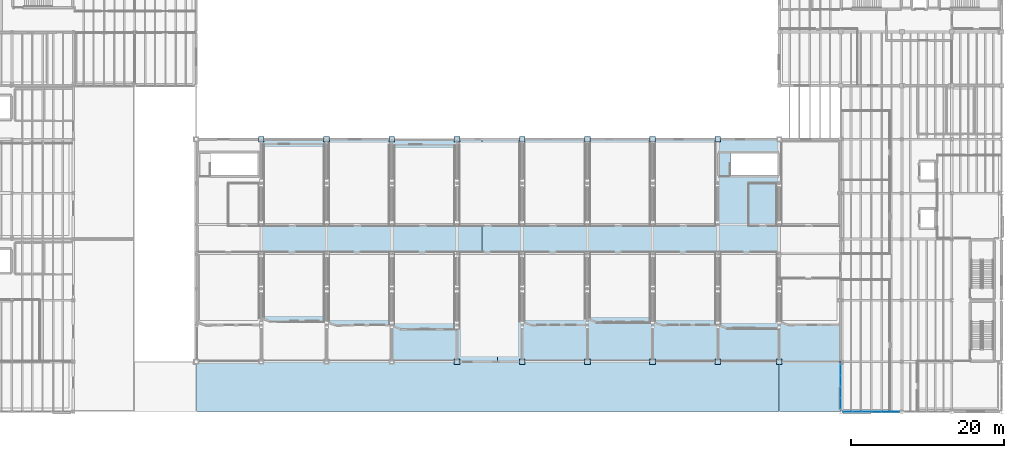
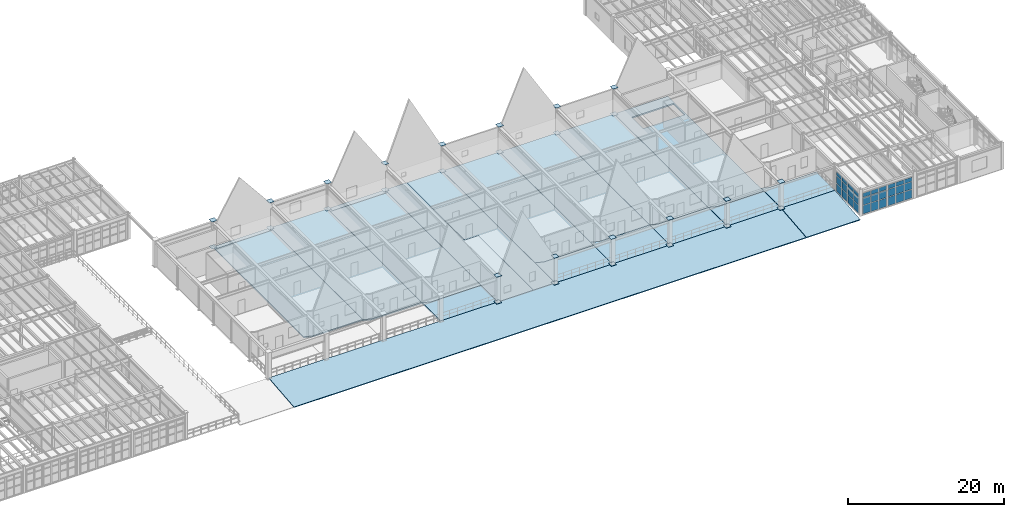
# One storey, part 51 of 78: 58 plates, 19 slabs, 5 elements without a shape of their own.
"""IFC4 building model written with IfcOpenShell, lengths in metres."""

from ifc_helpers import new_model, si_unit, direction, frame, origin, origin_2d, place, context, subcontext, project, spatial, polyline, rectangle, outline, extrude, material, layer, layer_set, material_profile, profile_set, type_object, element, aggregate, save


model = new_model("IFC4")

# Units and contexts
model_context = context("Model", 3, precision=1e-05, world=origin(), true_north=direction((0.0, 1.0)))
body_context = subcontext(model_context, "Body", "Model", "MODEL_VIEW")
ifc_project = project(units=[si_unit("LENGTHUNIT", "METRE"), si_unit("AREAUNIT", "SQUARE_METRE"), si_unit("VOLUMEUNIT", "CUBIC_METRE"), si_unit("PLANEANGLEUNIT", "RADIAN"), si_unit("MASSUNIT", "GRAM", prefix="KILO"), si_unit("THERMODYNAMICTEMPERATUREUNIT", "KELVIN"), si_unit("POWERUNIT", "WATT")], contexts=[model_context])

# Site, building, storey
site_placement = place(None, origin())
site = spatial("IfcSite", under=ifc_project, at=site_placement, CompositionType="ELEMENT")
building_placement = place(site_placement, origin())
building = spatial("IfcBuilding", under=site, at=building_placement, Name="Zhenchuan Central Fire Station", CompositionType="ELEMENT")
storey_placement = place(building_placement, frame((0.0, 0.0, 5.85009765625)))
storey = spatial("IfcBuildingStorey", under=building, at=storey_placement, Name="L02", CompositionType="ELEMENT", Elevation=5.85009765625)

# Curtain wall, plates
ifc_material_1 = material(Name="Anodised aluminium and low-E glazing", Category="aluminium")
curtain_wall_type_1 = type_object("IfcCurtainWallType", Name="CW-MOD-03", PredefinedType="USERDEFINED", material=ifc_material_1)
curtain_wall_1_placement = place(storey_placement, origin())
curtain_wall_1 = element("IfcCurtainWall", 1, at=curtain_wall_1_placement, inside=storey, type_object=curtain_wall_type_1, Name="L02 Unitised Curtain Wall 084", ObjectType="UNITISED GLAZING", PredefinedType="USERDEFINED")
ifc_material_2 = material(Name="Laminated low-E double glazing", Category="glass")
ifc_layer_1 = layer(ifc_material_2, 0.011962890625, Name="Laminated low-E double glazing", Category="glass")
ifc_layer_set_1 = layer_set([ifc_layer_1], Name="Laminated low-E double glazing")
plate_type_1 = type_object("IfcPlateType", Name="CW-PNL12", PredefinedType="CURTAIN_PANEL", material=ifc_layer_set_1)
plate_1_placement = place(storey_placement, frame((140.926513671875, 0.0, 0.06103515625), z_axis=(0.0, 0.0, 1.0), x_axis=(1.0, 0.0, 0.0)))
plate_1 = element("IfcPlate", 2, at=plate_1_placement, type_object=plate_type_1, Name="CW-03 panel 1.1", PredefinedType="CURTAIN_PANEL", context=body_context, shape_type="SweptSolid", body=[
    extrude(rectangle(XDim=1.123046875, YDim=0.011962890625, at=origin_2d()), origin(), (0.0, 0.0, 1.0), 1.33447265625),
])
plate_2_placement = place(storey_placement, frame((140.926513671875, 0.0, 1.46044921875), z_axis=(0.0, 0.0, 1.0), x_axis=(1.0, 0.0, 0.0)))
plate_2 = element("IfcPlate", 3, at=plate_2_placement, type_object=plate_type_1, Name="CW-03 panel 1.2", PredefinedType="CURTAIN_PANEL", context=body_context, shape_type="SweptSolid", body=[
    extrude(rectangle(XDim=1.123046875, YDim=0.011962890625, at=origin_2d()), origin(), (0.0, 0.0, 1.0), 1.158935546875),
])
plate_3_placement = place(storey_placement, frame((140.926513671875, 0.0, 2.6845703125), z_axis=(0.0, 0.0, 1.0), x_axis=(1.0, 0.0, 0.0)))
plate_3 = element("IfcPlate", 4, at=plate_3_placement, type_object=plate_type_1, Name="CW-03 panel 1.3", PredefinedType="CURTAIN_PANEL", context=body_context, shape_type="SweptSolid", body=[
    extrude(rectangle(XDim=1.123046875, YDim=0.011962890625, at=origin_2d()), origin(), (0.0, 0.0, 1.0), 0.650390625),
])
plate_4_placement = place(storey_placement, frame((142.131103515625, 0.0, 0.06103515625), z_axis=(0.0, 0.0, 1.0), x_axis=(1.0, 0.0, 0.0)))
plate_4 = element("IfcPlate", 5, at=plate_4_placement, type_object=plate_type_1, Name="CW-03 panel 2.1", PredefinedType="CURTAIN_PANEL", context=body_context, shape_type="SweptSolid", body=[
    extrude(rectangle(XDim=1.15576171875, YDim=0.011962890625, at=origin_2d()), origin(), (0.0, 0.0, 1.0), 1.33447265625),
])
plate_5_placement = place(storey_placement, frame((142.131103515625, 0.0, 1.46044921875), z_axis=(0.0, 0.0, 1.0), x_axis=(1.0, 0.0, 0.0)))
plate_5 = element("IfcPlate", 6, at=plate_5_placement, type_object=plate_type_1, Name="CW-03 panel 2.2", PredefinedType="CURTAIN_PANEL", context=body_context, shape_type="SweptSolid", body=[
    extrude(rectangle(XDim=1.15576171875, YDim=0.011962890625, at=origin_2d()), origin(), (0.0, 0.0, 1.0), 1.158935546875),
])
plate_6_placement = place(storey_placement, frame((142.131103515625, 0.0, 2.6845703125), z_axis=(0.0, 0.0, 1.0), x_axis=(1.0, 0.0, 0.0)))
plate_6 = element("IfcPlate", 7, at=plate_6_placement, type_object=plate_type_1, Name="CW-03 panel 2.3", PredefinedType="CURTAIN_PANEL", context=body_context, shape_type="SweptSolid", body=[
    extrude(rectangle(XDim=1.15576171875, YDim=0.011962890625, at=origin_2d()), origin(), (0.0, 0.0, 1.0), 0.650390625),
])
plate_7_placement = place(storey_placement, frame((143.33544921875, 0.0, 0.06103515625), z_axis=(0.0, 0.0, 1.0), x_axis=(1.0, 0.0, 0.0)))
plate_7 = element("IfcPlate", 8, at=plate_7_placement, type_object=plate_type_1, Name="CW-03 panel 3.1", PredefinedType="CURTAIN_PANEL", context=body_context, shape_type="SweptSolid", body=[
    extrude(rectangle(XDim=1.123046875, YDim=0.011962890625, at=origin_2d()), origin(), (0.0, 0.0, 1.0), 1.33447265625),
])
plate_8_placement = place(storey_placement, frame((143.33544921875, 0.0, 1.46044921875), z_axis=(0.0, 0.0, 1.0), x_axis=(1.0, 0.0, 0.0)))
plate_8 = element("IfcPlate", 9, at=plate_8_placement, type_object=plate_type_1, Name="CW-03 panel 3.2", PredefinedType="CURTAIN_PANEL", context=body_context, shape_type="SweptSolid", body=[
    extrude(rectangle(XDim=1.123046875, YDim=0.011962890625, at=origin_2d()), origin(), (0.0, 0.0, 1.0), 1.158935546875),
])
plate_9_placement = place(storey_placement, frame((143.33544921875, 0.0, 2.6845703125), z_axis=(0.0, 0.0, 1.0), x_axis=(1.0, 0.0, 0.0)))
plate_9 = element("IfcPlate", 10, at=plate_9_placement, type_object=plate_type_1, Name="CW-03 panel 3.3", PredefinedType="CURTAIN_PANEL", context=body_context, shape_type="SweptSolid", body=[
    extrude(rectangle(XDim=1.123046875, YDim=0.011962890625, at=origin_2d()), origin(), (0.0, 0.0, 1.0), 0.650390625),
])
aggregate(curtain_wall_1, [plate_1, plate_2, plate_3, plate_4, plate_5, plate_6, plate_7, plate_8, plate_9])

curtain_wall_type_2 = type_object("IfcCurtainWallType", Name="CW-MOD-04", PredefinedType="USERDEFINED", material=ifc_material_1)
curtain_wall_2_placement = place(storey_placement, origin())
curtain_wall_2 = element("IfcCurtainWall", 11, at=curtain_wall_2_placement, inside=storey, type_object=curtain_wall_type_2, Name="L02 Unitised Curtain Wall 085", ObjectType="UNITISED GLAZING", PredefinedType="USERDEFINED")
plate_10_placement = place(storey_placement, frame((144.66455078125, 0.0, 0.06103515625), z_axis=(0.0, 0.0, 1.0), x_axis=(1.0, 0.0, 0.0)))
plate_10 = element("IfcPlate", 12, at=plate_10_placement, type_object=plate_type_1, Name="CW-04 panel 1.1", PredefinedType="CURTAIN_PANEL", context=body_context, shape_type="SweptSolid", body=[
    extrude(rectangle(XDim=1.123046875, YDim=0.011962890625, at=origin_2d()), origin(), (0.0, 0.0, 1.0), 1.33447265625),
])
plate_11_placement = place(storey_placement, frame((144.66455078125, 0.0, 1.46044921875), z_axis=(0.0, 0.0, 1.0), x_axis=(1.0, 0.0, 0.0)))
plate_11 = element("IfcPlate", 13, at=plate_11_placement, type_object=plate_type_1, Name="CW-04 panel 1.2", PredefinedType="CURTAIN_PANEL", context=body_context, shape_type="SweptSolid", body=[
    extrude(rectangle(XDim=1.123046875, YDim=0.011962890625, at=origin_2d()), origin(), (0.0, 0.0, 1.0), 1.158935546875),
])
plate_12_placement = place(storey_placement, frame((144.66455078125, 0.0, 2.6845703125), z_axis=(0.0, 0.0, 1.0), x_axis=(1.0, 0.0, 0.0)))
plate_12 = element("IfcPlate", 14, at=plate_12_placement, type_object=plate_type_1, Name="CW-04 panel 1.3", PredefinedType="CURTAIN_PANEL", context=body_context, shape_type="SweptSolid", body=[
    extrude(rectangle(XDim=1.123046875, YDim=0.011962890625, at=origin_2d()), origin(), (0.0, 0.0, 1.0), 0.650390625),
])
plate_13_placement = place(storey_placement, frame((145.868896484375, 0.0, 0.06103515625), z_axis=(0.0, 0.0, 1.0), x_axis=(1.0, 0.0, 0.0)))
plate_13 = element("IfcPlate", 15, at=plate_13_placement, type_object=plate_type_1, Name="CW-04 panel 2.1", PredefinedType="CURTAIN_PANEL", context=body_context, shape_type="SweptSolid", body=[
    extrude(rectangle(XDim=1.15576171875, YDim=0.011962890625, at=origin_2d()), origin(), (0.0, 0.0, 1.0), 1.33447265625),
])
plate_14_placement = place(storey_placement, frame((145.868896484375, 0.0, 1.46044921875), z_axis=(0.0, 0.0, 1.0), x_axis=(1.0, 0.0, 0.0)))
plate_14 = element("IfcPlate", 16, at=plate_14_placement, type_object=plate_type_1, Name="CW-04 panel 2.2", PredefinedType="CURTAIN_PANEL", context=body_context, shape_type="SweptSolid", body=[
    extrude(rectangle(XDim=1.15576171875, YDim=0.011962890625, at=origin_2d()), origin(), (0.0, 0.0, 1.0), 1.158935546875),
])
plate_15_placement = place(storey_placement, frame((145.868896484375, 0.0, 2.6845703125), z_axis=(0.0, 0.0, 1.0), x_axis=(1.0, 0.0, 0.0)))
plate_15 = element("IfcPlate", 17, at=plate_15_placement, type_object=plate_type_1, Name="CW-04 panel 2.3", PredefinedType="CURTAIN_PANEL", context=body_context, shape_type="SweptSolid", body=[
    extrude(rectangle(XDim=1.15576171875, YDim=0.011962890625, at=origin_2d()), origin(), (0.0, 0.0, 1.0), 0.650390625),
])
plate_16_placement = place(storey_placement, frame((147.073486328125, 0.0, 0.06103515625), z_axis=(0.0, 0.0, 1.0), x_axis=(1.0, 0.0, 0.0)))
plate_16 = element("IfcPlate", 18, at=plate_16_placement, type_object=plate_type_1, Name="CW-04 panel 3.1", PredefinedType="CURTAIN_PANEL", context=body_context, shape_type="SweptSolid", body=[
    extrude(rectangle(XDim=1.123046875, YDim=0.011962890625, at=origin_2d()), origin(), (0.0, 0.0, 1.0), 1.33447265625),
])
plate_17_placement = place(storey_placement, frame((147.073486328125, 0.0, 1.46044921875), z_axis=(0.0, 0.0, 1.0), x_axis=(1.0, 0.0, 0.0)))
plate_17 = element("IfcPlate", 19, at=plate_17_placement, type_object=plate_type_1, Name="CW-04 panel 3.2", PredefinedType="CURTAIN_PANEL", context=body_context, shape_type="SweptSolid", body=[
    extrude(rectangle(XDim=1.123046875, YDim=0.011962890625, at=origin_2d()), origin(), (0.0, 0.0, 1.0), 1.158935546875),
])
plate_18_placement = place(storey_placement, frame((147.073486328125, 0.0, 2.6845703125), z_axis=(0.0, 0.0, 1.0), x_axis=(1.0, 0.0, 0.0)))
plate_18 = element("IfcPlate", 20, at=plate_18_placement, type_object=plate_type_1, Name="CW-04 panel 3.3", PredefinedType="CURTAIN_PANEL", context=body_context, shape_type="SweptSolid", body=[
    extrude(rectangle(XDim=1.123046875, YDim=0.011962890625, at=origin_2d()), origin(), (0.0, 0.0, 1.0), 0.650390625),
])
aggregate(curtain_wall_2, [plate_10, plate_11, plate_12, plate_13, plate_14, plate_15, plate_16, plate_17, plate_18])

curtain_wall_type_3 = type_object("IfcCurtainWallType", Name="CW-MOD-10", PredefinedType="USERDEFINED", material=ifc_material_1)
curtain_wall_3_placement = place(storey_placement, origin())
curtain_wall_3 = element("IfcCurtainWall", 21, at=curtain_wall_3_placement, inside=storey, type_object=curtain_wall_type_3, Name="L02 Unitised Curtain Wall 096", ObjectType="UNITISED GLAZING", PredefinedType="USERDEFINED")
plate_19_placement = place(storey_placement, frame((140.0, 1.044189453125, 0.06103515625), z_axis=(0.0, 0.0, 1.0), x_axis=(0.0, 1.0, 0.0)))
plate_19 = element("IfcPlate", 22, at=plate_19_placement, type_object=plate_type_1, Name="CW-10 panel 1.1", PredefinedType="CURTAIN_PANEL", context=body_context, shape_type="SweptSolid", body=[
    extrude(rectangle(XDim=1.3583984375, YDim=0.011962890625, at=origin_2d()), origin(), (0.0, 0.0, 1.0), 1.273193359375),
])
plate_20_placement = place(storey_placement, frame((140.0, 1.044189453125, 1.399169921875), z_axis=(0.0, 0.0, 1.0), x_axis=(0.0, 1.0, 0.0)))
plate_20 = element("IfcPlate", 23, at=plate_20_placement, type_object=plate_type_1, Name="CW-10 panel 1.2", PredefinedType="CURTAIN_PANEL", context=body_context, shape_type="SweptSolid", body=[
    extrude(rectangle(XDim=1.3583984375, YDim=0.011962890625, at=origin_2d()), origin(), (0.0, 0.0, 1.0), 1.1064453125),
])
plate_21_placement = place(storey_placement, frame((140.0, 1.044189453125, 2.5703125), z_axis=(0.0, 0.0, 1.0), x_axis=(0.0, 1.0, 0.0)))
plate_21 = element("IfcPlate", 24, at=plate_21_placement, type_object=plate_type_1, Name="CW-10 panel 1.3", PredefinedType="CURTAIN_PANEL", context=body_context, shape_type="SweptSolid", body=[
    extrude(rectangle(XDim=1.3583984375, YDim=0.011962890625, at=origin_2d()), origin(), (0.0, 0.0, 1.0), 0.618408203125),
])
plate_22_placement = place(storey_placement, frame((140.0, 2.4677734375, 0.06103515625), z_axis=(0.0, 0.0, 1.0), x_axis=(0.0, 1.0, 0.0)))
plate_22 = element("IfcPlate", 25, at=plate_22_placement, type_object=plate_type_1, Name="CW-10 panel 2.1", PredefinedType="CURTAIN_PANEL", context=body_context, shape_type="SweptSolid", body=[
    extrude(rectangle(XDim=1.3583984375, YDim=0.011962890625, at=origin_2d()), origin(), (0.0, 0.0, 1.0), 1.273193359375),
])
plate_23_placement = place(storey_placement, frame((140.0, 2.4677734375, 1.399169921875), z_axis=(0.0, 0.0, 1.0), x_axis=(0.0, 1.0, 0.0)))
plate_23 = element("IfcPlate", 26, at=plate_23_placement, type_object=plate_type_1, Name="CW-10 panel 2.2", PredefinedType="CURTAIN_PANEL", context=body_context, shape_type="SweptSolid", body=[
    extrude(rectangle(XDim=1.3583984375, YDim=0.011962890625, at=origin_2d()), origin(), (0.0, 0.0, 1.0), 1.1064453125),
])
plate_24_placement = place(storey_placement, frame((140.0, 2.4677734375, 2.5703125), z_axis=(0.0, 0.0, 1.0), x_axis=(0.0, 1.0, 0.0)))
plate_24 = element("IfcPlate", 27, at=plate_24_placement, type_object=plate_type_1, Name="CW-10 panel 2.3", PredefinedType="CURTAIN_PANEL", context=body_context, shape_type="SweptSolid", body=[
    extrude(rectangle(XDim=1.3583984375, YDim=0.011962890625, at=origin_2d()), origin(), (0.0, 0.0, 1.0), 0.618408203125),
])
aggregate(curtain_wall_3, [plate_19, plate_20, plate_21, plate_22, plate_23, plate_24])

curtain_wall_type_4 = type_object("IfcCurtainWallType", Name="CW-MOD-11", PredefinedType="USERDEFINED", material=ifc_material_1)
curtain_wall_4_placement = place(storey_placement, origin())
curtain_wall_4 = element("IfcCurtainWall", 28, at=curtain_wall_4_placement, inside=storey, type_object=curtain_wall_type_4, Name="L02 Unitised Curtain Wall 097", ObjectType="UNITISED GLAZING", PredefinedType="USERDEFINED")
plate_25_placement = place(storey_placement, frame((140.0, 4.0322265625, 0.06103515625), z_axis=(0.0, 0.0, 1.0), x_axis=(0.0, 1.0, 0.0)))
plate_25 = element("IfcPlate", 29, at=plate_25_placement, type_object=plate_type_1, Name="CW-11 panel 1.1", PredefinedType="CURTAIN_PANEL", context=body_context, shape_type="SweptSolid", body=[
    extrude(rectangle(XDim=1.3583984375, YDim=0.011962890625, at=origin_2d()), origin(), (0.0, 0.0, 1.0), 1.273193359375),
])
plate_26_placement = place(storey_placement, frame((140.0, 4.0322265625, 1.399169921875), z_axis=(0.0, 0.0, 1.0), x_axis=(0.0, 1.0, 0.0)))
plate_26 = element("IfcPlate", 30, at=plate_26_placement, type_object=plate_type_1, Name="CW-11 panel 1.2", PredefinedType="CURTAIN_PANEL", context=body_context, shape_type="SweptSolid", body=[
    extrude(rectangle(XDim=1.3583984375, YDim=0.011962890625, at=origin_2d()), origin(), (0.0, 0.0, 1.0), 1.1064453125),
])
plate_27_placement = place(storey_placement, frame((140.0, 4.0322265625, 2.5703125), z_axis=(0.0, 0.0, 1.0), x_axis=(0.0, 1.0, 0.0)))
plate_27 = element("IfcPlate", 31, at=plate_27_placement, type_object=plate_type_1, Name="CW-11 panel 1.3", PredefinedType="CURTAIN_PANEL", context=body_context, shape_type="SweptSolid", body=[
    extrude(rectangle(XDim=1.3583984375, YDim=0.011962890625, at=origin_2d()), origin(), (0.0, 0.0, 1.0), 0.618408203125),
])
plate_28_placement = place(storey_placement, frame((140.0, 5.455810546875, 0.06103515625), z_axis=(0.0, 0.0, 1.0), x_axis=(0.0, 1.0, 0.0)))
plate_28 = element("IfcPlate", 32, at=plate_28_placement, type_object=plate_type_1, Name="CW-11 panel 2.1", PredefinedType="CURTAIN_PANEL", context=body_context, shape_type="SweptSolid", body=[
    extrude(rectangle(XDim=1.3583984375, YDim=0.011962890625, at=origin_2d()), origin(), (0.0, 0.0, 1.0), 1.273193359375),
])
plate_29_placement = place(storey_placement, frame((140.0, 5.455810546875, 1.399169921875), z_axis=(0.0, 0.0, 1.0), x_axis=(0.0, 1.0, 0.0)))
plate_29 = element("IfcPlate", 33, at=plate_29_placement, type_object=plate_type_1, Name="CW-11 panel 2.2", PredefinedType="CURTAIN_PANEL", context=body_context, shape_type="SweptSolid", body=[
    extrude(rectangle(XDim=1.3583984375, YDim=0.011962890625, at=origin_2d()), origin(), (0.0, 0.0, 1.0), 1.1064453125),
])
plate_30_placement = place(storey_placement, frame((140.0, 5.455810546875, 2.5703125), z_axis=(0.0, 0.0, 1.0), x_axis=(0.0, 1.0, 0.0)))
plate_30 = element("IfcPlate", 34, at=plate_30_placement, type_object=plate_type_1, Name="CW-11 panel 2.3", PredefinedType="CURTAIN_PANEL", context=body_context, shape_type="SweptSolid", body=[
    extrude(rectangle(XDim=1.3583984375, YDim=0.011962890625, at=origin_2d()), origin(), (0.0, 0.0, 1.0), 0.618408203125),
])
aggregate(curtain_wall_4, [plate_25, plate_26, plate_27, plate_28, plate_29, plate_30])

# Plates
ifc_material_3 = material(Name="Steel Q355B", Category="steel")
ifc_material_profile = material_profile(ifc_material_3, rectangle(XDim=0.760009765625, YDim=0.760009765625, at=origin_2d()), Name="PL 760x760x40")
ifc_profile_set = profile_set([ifc_material_profile], Name="Steel Q355B")
plate_type_2 = type_object("IfcPlateType", Name="PL-BAS40-INT", PredefinedType="SHEET", material=ifc_profile_set)
for number, where, z_axis, x_axis, name in (
    (35, (64.5, 35.5, -0.01611328125), (0.0, 0.0, 1.0), (1.0, 0.0, 0.0), "L02 Column 064 end cap plate A"),
    (36, (64.5, 35.5, 4.19580078125), (0.0, 0.0, 1.0), (1.0, 0.0, 0.0), "L02 Column 064 end cap plate B"),
    (37, (73.0, 35.5, -0.01611328125), (0.0, 0.0, 1.0), (1.0, 0.0, 0.0), "L02 Column 066 end cap plate A"),
    (38, (73.0, 35.5, 4.19580078125), (0.0, 0.0, 1.0), (1.0, 0.0, 0.0), "L02 Column 066 end cap plate B"),
    (39, (81.5, 35.5, -0.01611328125), (0.0, 0.0, 1.0), (1.0, 0.0, 0.0), "L02 Column 068 end cap plate A"),
    (40, (81.5, 35.5, 4.19580078125), (0.0, 0.0, 1.0), (1.0, 0.0, 0.0), "L02 Column 068 end cap plate B"),
    (41, (90.0, 6.5, -0.01611328125), (0.0, 0.0, 1.0), (1.0, 0.0, 0.0), "L02 Column 069 end cap plate A"),
    (42, (90.0, 6.5, 4.19580078125), (0.0, 0.0, 1.0), (1.0, 0.0, 0.0), "L02 Column 069 end cap plate B"),
    (43, (90.0, 35.5, -0.01611328125), (0.0, 0.0, 1.0), (1.0, 0.0, 0.0), "L02 Column 070 end cap plate A"),
    (44, (90.0, 35.5, 4.19580078125), (0.0, 0.0, 1.0), (1.0, 0.0, 0.0), "L02 Column 070 end cap plate B"),
    (45, (98.5, 6.5, -0.01611328125), (0.0, 0.0, 1.0), (1.0, 0.0, 0.0), "L02 Column 071 end cap plate A"),
    (46, (98.5, 6.5, 4.19580078125), (0.0, 0.0, 1.0), (1.0, 0.0, 0.0), "L02 Column 071 end cap plate B"),
    (47, (98.5, 35.5, -0.01611328125), (0.0, 0.0, 1.0), (1.0, 0.0, 0.0), "L02 Column 072 end cap plate A"),
    (48, (98.5, 35.5, 4.19580078125), (0.0, 0.0, 1.0), (1.0, 0.0, 0.0), "L02 Column 072 end cap plate B"),
    (49, (107.0, 6.5, -0.01611328125), (0.0, 0.0, 1.0), (1.0, 0.0, 0.0), "L02 Column 073 end cap plate A"),
    (50, (107.0, 6.5, 4.19580078125), (0.0, 0.0, 1.0), (1.0, 0.0, 0.0), "L02 Column 073 end cap plate B"),
    (51, (107.0, 35.5, -0.01611328125), (0.0, 0.0, 1.0), (1.0, 0.0, 0.0), "L02 Column 074 end cap plate A"),
    (52, (107.0, 35.5, 4.19580078125), (0.0, 0.0, 1.0), (1.0, 0.0, 0.0), "L02 Column 074 end cap plate B"),
    (53, (115.5, 6.5, -0.01611328125), (0.0, 0.0, 1.0), (1.0, 0.0, 0.0), "L02 Column 075 end cap plate A"),
    (54, (115.5, 6.5, 4.19580078125), (0.0, 0.0, 1.0), (1.0, 0.0, 0.0), "L02 Column 075 end cap plate B"),
    (55, (115.5, 35.5, -0.01611328125), (0.0, 0.0, 1.0), (1.0, 0.0, 0.0), "L02 Column 076 end cap plate A"),
    (56, (115.5, 35.5, 4.19580078125), (0.0, 0.0, 1.0), (1.0, 0.0, 0.0), "L02 Column 076 end cap plate B"),
    (57, (124.0, 6.5, -0.01611328125), (0.0, 0.0, 1.0), (1.0, 0.0, 0.0), "L02 Column 077 end cap plate A"),
    (58, (124.0, 6.5, 4.19580078125), (0.0, 0.0, 1.0), (1.0, 0.0, 0.0), "L02 Column 077 end cap plate B"),
    (59, (124.0, 35.5, -0.01611328125), (0.0, 0.0, 1.0), (1.0, 0.0, 0.0), "L02 Column 078 end cap plate A"),
    (60, (124.0, 35.5, 4.19580078125), (0.0, 0.0, 1.0), (1.0, 0.0, 0.0), "L02 Column 078 end cap plate B"),
    (61, (132.0, 6.5, -0.01611328125), (0.0, 0.0, 1.0), (1.0, 0.0, 0.0), "L02 Column 079 end cap plate A"),
    (62, (132.0, 6.5, 4.19580078125), (0.0, 0.0, 1.0), (1.0, 0.0, 0.0), "L02 Column 079 end cap plate B"),
):
    element("IfcPlate", number, at=place(storey_placement, frame(where, z_axis=z_axis, x_axis=x_axis)), inside=storey, type_object=plate_type_2, Name=name, PredefinedType="SHEET", context=body_context, shape_type="SweptSolid", body=[
        extrude(rectangle(XDim=0.760009765625, YDim=0.760009765625, at=origin_2d()), origin(), (0.0, 0.0, 1.0), 0.02001953125),
    ])

# Slabs
ifc_material_4 = material(Name="Concrete C35/45", Category="concrete")
ifc_layer_2 = layer(ifc_material_4, 0.179931640625, Name="Concrete C35/45", Category="concrete")
ifc_layer_set_2 = layer_set([ifc_layer_2], Name="Concrete C35/45")
slab_type_1 = type_object("IfcSlabType", Name="SL-EXT180", PredefinedType="FLOOR", material=ifc_layer_set_2)
slab_1_placement = place(storey_placement, frame((0.0, 0.0, -0.18017578125)))
element("IfcSlab", 63, at=slab_1_placement, inside=storey, type_object=slab_type_1, Name="L02 Setback Terrace H04", PredefinedType="FLOOR", context=body_context, shape_type="SweptSolid", body=[
    extrude(outline(polyline([(81.5029296875, 6.5), (89.9970703125, 6.5), (89.9970703125, 10.7958984375), (82.60302734375, 10.7958984375), (81.5029296875, 11.196044921875), (81.5029296875, 6.5)])), origin(), (0.0, 0.0, 1.0), 0.18017578125),
])
slab_2_placement = place(storey_placement, frame((0.0, 0.0, -0.18017578125)))
element("IfcSlab", 64, at=slab_2_placement, inside=storey, type_object=slab_type_1, Name="L02 Setback Terrace H06", PredefinedType="FLOOR", context=body_context, shape_type="SweptSolid", body=[
    extrude(outline(polyline([(98.5029296875, 6.5), (106.9970703125, 6.5), (106.9970703125, 11.2958984375), (99.60302734375, 11.2958984375), (98.5029296875, 11.696044921875), (98.5029296875, 6.5)])), origin(), (0.0, 0.0, 1.0), 0.18017578125),
])
slab_3_placement = place(storey_placement, frame((0.0, 0.0, -0.18017578125)))
element("IfcSlab", 65, at=slab_3_placement, inside=storey, type_object=slab_type_1, Name="L02 Setback Terrace H07", PredefinedType="FLOOR", context=body_context, shape_type="SweptSolid", body=[
    extrude(outline(polyline([(107.0029296875, 6.5), (115.4970703125, 6.5), (115.4970703125, 11.696044921875), (108.10302734375, 11.696044921875), (107.0029296875, 12.095947265625), (107.0029296875, 6.5)])), origin(), (0.0, 0.0, 1.0), 0.18017578125),
])
slab_4_placement = place(storey_placement, frame((0.0, 0.0, -0.18017578125)))
element("IfcSlab", 66, at=slab_4_placement, inside=storey, type_object=slab_type_1, Name="L02 Setback Terrace H08", PredefinedType="FLOOR", context=body_context, shape_type="SweptSolid", body=[
    extrude(outline(polyline([(115.5029296875, 6.5), (123.9970703125, 6.5), (123.9970703125, 11.2958984375), (116.60302734375, 11.2958984375), (115.5029296875, 11.696044921875), (115.5029296875, 6.5)])), origin(), (0.0, 0.0, 1.0), 0.18017578125),
])
slab_5_placement = place(storey_placement, frame((0.0, 0.0, -0.18017578125)))
element("IfcSlab", 67, at=slab_5_placement, inside=storey, type_object=slab_type_1, Name="L02 Setback Terrace H09", PredefinedType="FLOOR", context=body_context, shape_type="SweptSolid", body=[
    extrude(outline(polyline([(124.0029296875, 6.5), (131.97509765625, 6.5), (131.97509765625, 10.89599609375), (125.10302734375, 10.89599609375), (124.0029296875, 11.2958984375), (124.0029296875, 6.5)])), origin(), (0.0, 0.0, 1.0), 0.18017578125),
])
slab_6_placement = place(storey_placement, frame((0.0, 0.0, -0.18017578125)))
element("IfcSlab", 68, at=slab_6_placement, inside=storey, type_object=slab_type_1, Name="L02 Setback Terrace H10", PredefinedType="FLOOR", context=body_context, shape_type="SweptSolid", body=[
    extrude(outline(polyline([(132.02490234375, 6.5), (139.99609375, 6.5), (139.99609375, 11.2958984375), (133.125, 11.2958984375), (132.02490234375, 11.696044921875), (132.02490234375, 6.5)])), origin(), (0.0, 0.0, 1.0), 0.18017578125),
])
ifc_layer_3 = layer(ifc_material_4, 0.199951171875, Name="Concrete C35/45", Category="concrete")
ifc_layer_set_3 = layer_set([ifc_layer_3], Name="Concrete C35/45")
slab_type_2 = type_object("IfcSlabType", Name="SL-FLR200", PredefinedType="FLOOR", material=ifc_layer_set_3)
slab_7_placement = place(storey_placement, frame((0.0, 0.0, -0.2001953125)))
element("IfcSlab", 69, at=slab_7_placement, inside=storey, type_object=slab_type_2, Name="L02 Pavilion H02 Floor Slab", PredefinedType="FLOOR", context=body_context, shape_type="SweptSolid", body=[
    extrude(outline(polyline([(64.5029296875, 12.199951171875), (65.60302734375, 11.800048828125), (72.9970703125, 11.800048828125), (72.9970703125, 34.89990234375), (64.5029296875, 34.89990234375), (64.5029296875, 12.199951171875)])), origin(), (0.0, 0.0, 1.0), 0.2001953125),
])
slab_8_placement = place(storey_placement, frame((0.0, 0.0, -0.2001953125)))
element("IfcSlab", 70, at=slab_8_placement, inside=storey, type_object=slab_type_2, Name="L02 Pavilion H03 Floor Slab", PredefinedType="FLOOR", context=body_context, shape_type="SweptSolid", body=[
    extrude(outline(polyline([(73.0029296875, 11.699951171875), (74.10302734375, 11.300048828125), (81.4970703125, 11.300048828125), (81.4970703125, 35.5), (73.0029296875, 35.5), (73.0029296875, 11.699951171875)])), origin(), (0.0, 0.0, 1.0), 0.2001953125),
])
slab_9_placement = place(storey_placement, frame((0.0, 0.0, -0.2001953125)))
element("IfcSlab", 71, at=slab_9_placement, inside=storey, type_object=slab_type_2, Name="L02 Pavilion H04 Floor Slab", PredefinedType="FLOOR", context=body_context, shape_type="SweptSolid", body=[
    extrude(outline(polyline([(81.5029296875, 11.199951171875), (82.60302734375, 10.800048828125), (89.9970703125, 10.800048828125), (89.9970703125, 34.800048828125), (81.5029296875, 34.800048828125), (81.5029296875, 11.199951171875)])), origin(), (0.0, 0.0, 1.0), 0.2001953125),
])
slab_10_placement = place(storey_placement, frame((0.0, 0.0, -0.2001953125)))
element("IfcSlab", 72, at=slab_10_placement, inside=storey, type_object=slab_type_2, Name="L02 Pavilion H05 Floor Panel A", PredefinedType="FLOOR", context=body_context, shape_type="SweptSolid", body=[
    extrude(outline(polyline([(90.0029296875, 6.5), (95.26611328125, 6.5), (95.26611328125, 20.596923828125), (93.22802734375, 20.596923828125), (93.22802734375, 35.5), (90.0029296875, 35.5), (90.0029296875, 6.5)])), origin(), (0.0, 0.0, 1.0), 0.2001953125),
])
slab_11_placement = place(storey_placement, frame((0.0, 0.0, -0.2001953125)))
element("IfcSlab", 73, at=slab_11_placement, inside=storey, type_object=slab_type_2, Name="L02 Pavilion H05 Floor Panel B", PredefinedType="FLOOR", context=body_context, shape_type="SweptSolid", body=[
    extrude(outline(polyline([(95.27197265625, 6.5), (98.4970703125, 6.5), (98.4970703125, 35.5), (93.23388671875, 35.5), (93.23388671875, 20.60302734375), (95.27197265625, 20.60302734375), (95.27197265625, 6.5)])), origin(), (0.0, 0.0, 1.0), 0.2001953125),
])
slab_12_placement = place(storey_placement, frame((0.0, 0.0, -0.2001953125)))
element("IfcSlab", 74, at=slab_12_placement, inside=storey, type_object=slab_type_2, Name="L02 Pavilion H06 Floor Slab", PredefinedType="FLOOR", context=body_context, shape_type="SweptSolid", body=[
    extrude(outline(polyline([(98.5029296875, 11.699951171875), (99.60302734375, 11.300048828125), (106.9970703125, 11.300048828125), (106.9970703125, 35.5), (98.5029296875, 35.5), (98.5029296875, 11.699951171875)])), origin(), (0.0, 0.0, 1.0), 0.2001953125),
])
slab_13_placement = place(storey_placement, frame((0.0, 0.0, -0.2001953125)))
element("IfcSlab", 75, at=slab_13_placement, inside=storey, type_object=slab_type_2, Name="L02 Pavilion H07 Floor Slab", PredefinedType="FLOOR", context=body_context, shape_type="SweptSolid", body=[
    extrude(outline(polyline([(107.0029296875, 12.10009765625), (108.10302734375, 11.699951171875), (115.4970703125, 11.699951171875), (115.4970703125, 35.5), (107.0029296875, 35.5), (107.0029296875, 12.10009765625)])), origin(), (0.0, 0.0, 1.0), 0.2001953125),
])
slab_14_placement = place(storey_placement, frame((0.0, 0.0, -0.2001953125)))
element("IfcSlab", 76, at=slab_14_placement, inside=storey, type_object=slab_type_2, Name="L02 Pavilion H08 Floor Slab", PredefinedType="FLOOR", context=body_context, shape_type="SweptSolid", body=[
    extrude(outline(polyline([(115.5029296875, 11.699951171875), (116.60302734375, 11.300048828125), (123.9970703125, 11.300048828125), (123.9970703125, 35.5), (115.5029296875, 35.5), (115.5029296875, 11.699951171875)])), origin(), (0.0, 0.0, 1.0), 0.2001953125),
])
slab_15_placement = place(storey_placement, frame((0.0, 0.0, -0.2001953125)))
element("IfcSlab", 77, at=slab_15_placement, inside=storey, type_object=slab_type_2, Name="L02 Pavilion H09 Floor Slab", PredefinedType="FLOOR", context=body_context, shape_type="SweptSolid", body=[
    extrude(outline(polyline([(124.0029296875, 11.300048828125), (125.10302734375, 10.89990234375), (131.97509765625, 10.89990234375), (131.97509765625, 35.5), (124.0029296875, 35.5), (124.0029296875, 11.300048828125)]), holes=[polyline([(125.62060546875, 30.800048828125), (131.780029296875, 30.800048828125), (131.780029296875, 33.699951171875), (125.62060546875, 33.699951171875), (125.62060546875, 30.800048828125)])]), origin(), (0.0, 0.0, 1.0), 0.2001953125),
])

# Roof, slabs
ifc_material_5 = material(Name="Standing-seam aluminium roofing", Category="aluminium")
roof_type = type_object("IfcRoofType", Name="RF-SAW", PredefinedType="SHED_ROOF", material=ifc_material_5)
roof_placement = place(storey_placement, origin())
roof = element("IfcRoof", 78, at=roof_placement, inside=storey, type_object=roof_type, Name="Boulevard Forecourt Canopy Roof Assembly", PredefinedType="SHED_ROOF")
ifc_layer_4 = layer(ifc_material_4, 0.1201171875, Name="Concrete C35/45", Category="concrete")
ifc_layer_set_4 = layer_set([ifc_layer_4], Name="Concrete C35/45")
slab_type_3 = type_object("IfcSlabType", Name="SL-RF120", PredefinedType="ROOF", material=ifc_layer_set_4)
slab_16_placement = place(storey_placement, frame((56.02490234375, 0.0, -0.650146484375), z_axis=(0.0, -0.09952592114, 0.995034969748), x_axis=(1.0, 0.0, 0.0)))
slab_16 = element("IfcSlab", 79, at=slab_16_placement, type_object=slab_type_3, Name="Boulevard Forecourt Entry Canopy Roof Central", PredefinedType="ROOF", context=body_context, shape_type="SweptSolid", body=[
    extrude(outline(polyline([(0.0, 0.0), (75.9501953125, 0.0), (75.9501953125, 6.5324337310948035), (0.0, 6.5324337310948035), (0.0, 0.0)])), origin(), (0.0, 0.0, -1.0), 0.1201171875),
])
slab_17_placement = place(storey_placement, frame((132.02490234375, 0.0, -0.650146484375), z_axis=(0.0, -0.09952592114, 0.995034969748), x_axis=(1.0, 0.0, 0.0)))
slab_17 = element("IfcSlab", 80, at=slab_17_placement, type_object=slab_type_3, Name="Boulevard Forecourt Entry Canopy Roof East", PredefinedType="ROOF", context=body_context, shape_type="SweptSolid", body=[
    extrude(outline(polyline([(0.0, 0.0), (7.97509765625, 0.0), (7.97509765625, 6.5324337310948035), (0.0, 6.5324337310948035), (0.0, 0.0)])), origin(), (0.0, 0.0, -1.0), 0.1201171875),
])
aggregate(roof, [slab_16, slab_17])

# Slabs
ifc_layer_5 = layer(ifc_material_4, 0.14990234375, Name="Concrete C35/45", Category="concrete")
ifc_layer_set_5 = layer_set([ifc_layer_5], Name="Concrete C35/45")
slab_type_4 = type_object("IfcSlabType", Name="SL-RF150", PredefinedType="ROOF", material=ifc_layer_set_5)
slab_18_placement = place(storey_placement, frame((0.0, 0.0, -0.150146484375)))
element("IfcSlab", 81, at=slab_18_placement, inside=storey, type_object=slab_type_4, Name="L02 Pavilion H02 North Eave Apron", PredefinedType="ROOF", context=body_context, shape_type="SweptSolid", body=[
    extrude(outline(polyline([(64.5029296875, 34.904052734375), (72.9970703125, 34.904052734375), (72.9970703125, 35.5), (64.5029296875, 35.5), (64.5029296875, 34.904052734375)])), origin(), (0.0, 0.0, 1.0), 0.150146484375),
])
slab_19_placement = place(storey_placement, frame((0.0, 0.0, -0.150146484375)))
element("IfcSlab", 82, at=slab_19_placement, inside=storey, type_object=slab_type_4, Name="L02 Pavilion H04 North Eave Apron", PredefinedType="ROOF", context=body_context, shape_type="SweptSolid", body=[
    extrude(outline(polyline([(81.5029296875, 34.803955078125), (89.9970703125, 34.803955078125), (89.9970703125, 35.5), (81.5029296875, 35.5), (81.5029296875, 34.803955078125)])), origin(), (0.0, 0.0, 1.0), 0.150146484375),
])

save(model, "model.ifc")
